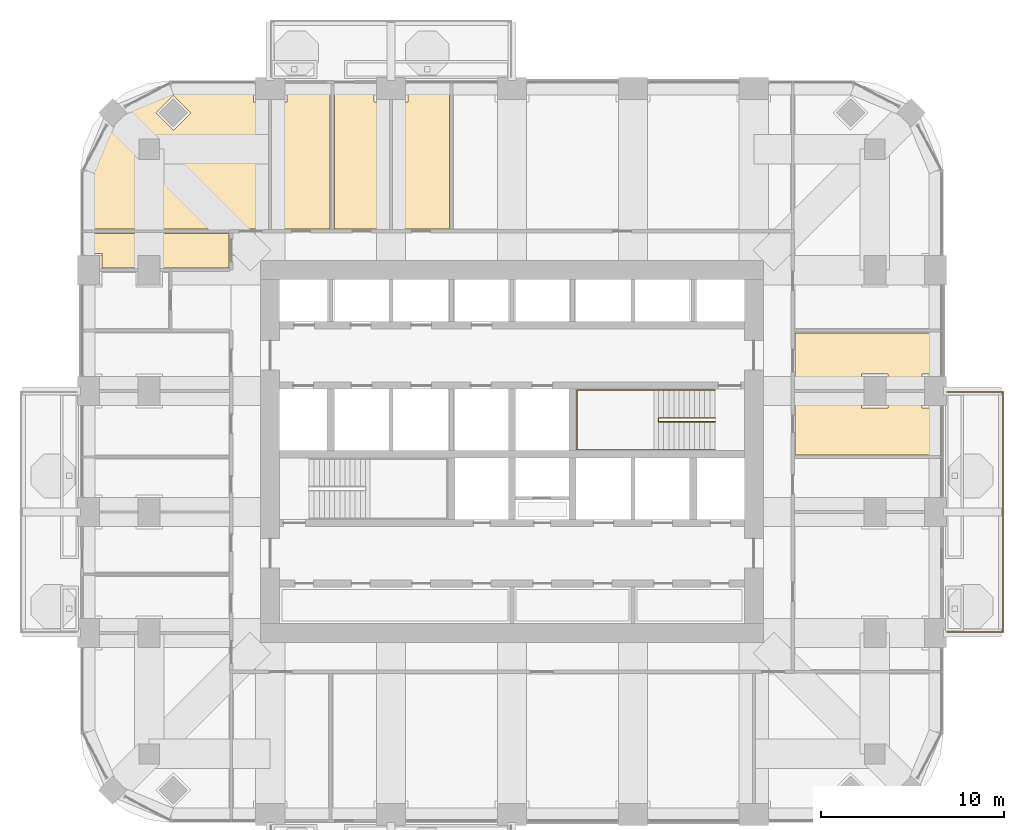
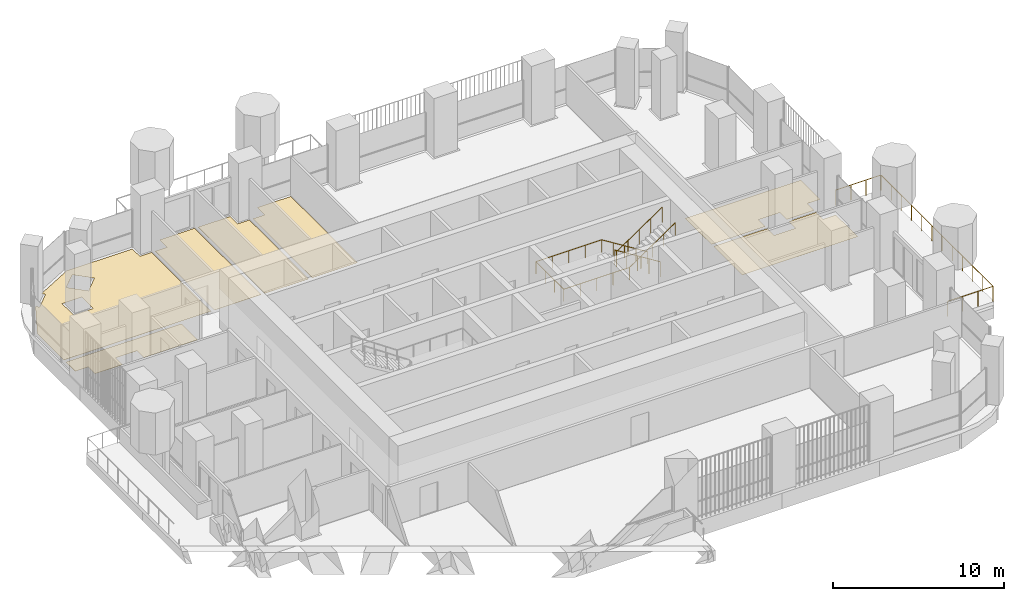
# One storey, part 18 of 20: 7 coverings, 3 railings.
"""IFC4 building model written with IfcOpenShell, lengths in metres."""

from ifc_helpers import new_model, si_unit, direction, frame, origin, place, context, subcontext, project, spatial, polyline, outline, extrude, material, layer, layer_set, type_object, element, save


model = new_model("IFC4")

# Units and contexts
model_context = context("Model", 3, precision=1e-05, world=origin(), true_north=direction((0.0, 1.0)))
body_context = subcontext(model_context, "Body", "Model", "MODEL_VIEW")
ifc_project = project(units=[si_unit("LENGTHUNIT", "METRE"), si_unit("AREAUNIT", "SQUARE_METRE"), si_unit("VOLUMEUNIT", "CUBIC_METRE"), si_unit("PLANEANGLEUNIT", "RADIAN"), si_unit("MASSUNIT", "GRAM", prefix="KILO")], contexts=[model_context])

# Site, building, storey
site_placement = place(None, origin())
site = spatial("IfcSite", under=ifc_project, at=site_placement, CompositionType="ELEMENT")
building_placement = place(site_placement, origin())
building = spatial("IfcBuilding", under=site, at=building_placement, Name="Cobogo Forest Laboratory Tower", CompositionType="ELEMENT")
storey_placement = place(building_placement, frame((0.0, 0.0, 201.89990234375)))
storey = spatial("IfcBuildingStorey", under=building, at=storey_placement, Name="L46", CompositionType="ELEMENT", Elevation=201.89990234375)

# Railing
ifc_material_1 = material(Name="Laminated glass balustrade", Category="glass")
railing_type_1 = type_object("IfcRailingType", Name="BG1 glass balustrade 1100", PredefinedType="GUARDRAIL", material=ifc_material_1)
railing_1_placement = place(storey_placement, frame((50.14990234375, 13.25, 0.0)))
element("IfcRailing", 1, at=railing_1_placement, inside=storey, type_object=railing_type_1, Name="Balcony balustrade BAL-E1 L46", PredefinedType="GUARDRAIL", context=body_context, shape_type="SweptSolid", body=[
    extrude(outline(polyline([(0.022216796875, 0.00927734375), (0.00927734375, 0.022216796875), (-0.00927734375, 0.022216796875), (-0.022216796875, 0.00927734375), (-0.022216796875, -0.00927734375), (-0.00927734375, -0.022216796875), (0.00927734375, -0.022216796875), (0.022216796875, -0.00927734375), (0.022216796875, 0.00927734375)])), frame((0.0, 0.0, 1.077880859375), z_axis=(1.0, 0.0, 0.0), x_axis=(0.0, 1.0, 0.0)), (0.0, 0.0, 1.0), 3.050048828125),
    extrude(outline(polyline([(0.022216796875, 0.00927734375), (0.00927734375, 0.022216796875), (-0.00927734375, 0.022216796875), (-0.022216796875, 0.00927734375), (-0.022216796875, -0.00927734375), (-0.00927734375, -0.022216796875), (0.00927734375, -0.022216796875), (0.022216796875, -0.00927734375), (0.022216796875, 0.00927734375)])), frame((3.050048828125, 0.0, 1.077880859375), z_axis=(0.0, 1.0, 0.0), x_axis=(-1.0, 0.0, 0.0)), (0.0, 0.0, 1.0), 13.10009765625),
    extrude(outline(polyline([(0.022216796875, 0.00927734375), (0.00927734375, 0.022216796875), (-0.00927734375, 0.022216796875), (-0.022216796875, 0.00927734375), (-0.022216796875, -0.00927734375), (-0.00927734375, -0.022216796875), (0.00927734375, -0.022216796875), (0.022216796875, -0.00927734375), (0.022216796875, 0.00927734375)])), frame((3.050048828125, 13.10009765625, 1.077880859375), z_axis=(-1.0, 0.0, 0.0), x_axis=(0.0, -1.0, 0.0)), (0.0, 0.0, 1.0), 3.050048828125),
    extrude(outline(polyline([(0.019287109375, 0.008056640625), (0.008056640625, 0.019287109375), (-0.008056640625, 0.019287109375), (-0.019287109375, 0.008056640625), (-0.019287109375, -0.008056640625), (-0.008056640625, -0.019287109375), (0.008056640625, -0.019287109375), (0.019287109375, -0.008056640625), (0.019287109375, 0.008056640625)])), origin(), (0.0, 0.0, 1.0), 1.077880859375),
    extrude(outline(polyline([(0.019287109375, 0.008056640625), (0.008056640625, 0.019287109375), (-0.008056640625, 0.019287109375), (-0.019287109375, 0.008056640625), (-0.019287109375, -0.008056640625), (-0.008056640625, -0.019287109375), (0.008056640625, -0.019287109375), (0.019287109375, -0.008056640625), (0.019287109375, 0.008056640625)])), frame((1.0166015625, 0.0, 0.0)), (0.0, 0.0, 1.0), 1.077880859375),
    extrude(outline(polyline([(0.019287109375, 0.008056640625), (0.008056640625, 0.019287109375), (-0.008056640625, 0.019287109375), (-0.019287109375, 0.008056640625), (-0.019287109375, -0.008056640625), (-0.008056640625, -0.019287109375), (0.008056640625, -0.019287109375), (0.019287109375, -0.008056640625), (0.019287109375, 0.008056640625)])), frame((2.033447265625, 0.0, 0.0)), (0.0, 0.0, 1.0), 1.077880859375),
    extrude(outline(polyline([(0.019287109375, 0.008056640625), (0.008056640625, 0.019287109375), (-0.008056640625, 0.019287109375), (-0.019287109375, 0.008056640625), (-0.019287109375, -0.008056640625), (-0.008056640625, -0.019287109375), (0.008056640625, -0.019287109375), (0.019287109375, -0.008056640625), (0.019287109375, 0.008056640625)])), frame((3.050048828125, 0.0, 0.0)), (0.0, 0.0, 1.0), 1.077880859375),
    extrude(outline(polyline([(0.019287109375, 0.008056640625), (0.008056640625, 0.019287109375), (-0.008056640625, 0.019287109375), (-0.019287109375, 0.008056640625), (-0.019287109375, -0.008056640625), (-0.008056640625, -0.019287109375), (0.008056640625, -0.019287109375), (0.019287109375, -0.008056640625), (0.019287109375, 0.008056640625)])), frame((3.050048828125, 1.19091796875, 0.0)), (0.0, 0.0, 1.0), 1.077880859375),
    extrude(outline(polyline([(0.019287109375, 0.008056640625), (0.008056640625, 0.019287109375), (-0.008056640625, 0.019287109375), (-0.019287109375, 0.008056640625), (-0.019287109375, -0.008056640625), (-0.008056640625, -0.019287109375), (0.008056640625, -0.019287109375), (0.019287109375, -0.008056640625), (0.019287109375, 0.008056640625)])), frame((3.050048828125, 2.3818359375, 0.0)), (0.0, 0.0, 1.0), 1.077880859375),
    extrude(outline(polyline([(0.019287109375, 0.008056640625), (0.008056640625, 0.019287109375), (-0.008056640625, 0.019287109375), (-0.019287109375, 0.008056640625), (-0.019287109375, -0.008056640625), (-0.008056640625, -0.019287109375), (0.008056640625, -0.019287109375), (0.019287109375, -0.008056640625), (0.019287109375, 0.008056640625)])), frame((3.050048828125, 3.57275390625, 0.0)), (0.0, 0.0, 1.0), 1.077880859375),
    extrude(outline(polyline([(0.019287109375, 0.008056640625), (0.008056640625, 0.019287109375), (-0.008056640625, 0.019287109375), (-0.019287109375, 0.008056640625), (-0.019287109375, -0.008056640625), (-0.008056640625, -0.019287109375), (0.008056640625, -0.019287109375), (0.019287109375, -0.008056640625), (0.019287109375, 0.008056640625)])), frame((3.050048828125, 4.763671875, 0.0)), (0.0, 0.0, 1.0), 1.077880859375),
    extrude(outline(polyline([(0.019287109375, 0.008056640625), (0.008056640625, 0.019287109375), (-0.008056640625, 0.019287109375), (-0.019287109375, 0.008056640625), (-0.019287109375, -0.008056640625), (-0.008056640625, -0.019287109375), (0.008056640625, -0.019287109375), (0.019287109375, -0.008056640625), (0.019287109375, 0.008056640625)])), frame((3.050048828125, 5.95458984375, 0.0)), (0.0, 0.0, 1.0), 1.077880859375),
    extrude(outline(polyline([(0.019287109375, 0.008056640625), (0.008056640625, 0.019287109375), (-0.008056640625, 0.019287109375), (-0.019287109375, 0.008056640625), (-0.019287109375, -0.008056640625), (-0.008056640625, -0.019287109375), (0.008056640625, -0.019287109375), (0.019287109375, -0.008056640625), (0.019287109375, 0.008056640625)])), frame((3.050048828125, 7.1455078125, 0.0)), (0.0, 0.0, 1.0), 1.077880859375),
    extrude(outline(polyline([(0.019287109375, 0.008056640625), (0.008056640625, 0.019287109375), (-0.008056640625, 0.019287109375), (-0.019287109375, 0.008056640625), (-0.019287109375, -0.008056640625), (-0.008056640625, -0.019287109375), (0.008056640625, -0.019287109375), (0.019287109375, -0.008056640625), (0.019287109375, 0.008056640625)])), frame((3.050048828125, 8.33642578125, 0.0)), (0.0, 0.0, 1.0), 1.077880859375),
    extrude(outline(polyline([(0.019287109375, 0.008056640625), (0.008056640625, 0.019287109375), (-0.008056640625, 0.019287109375), (-0.019287109375, 0.008056640625), (-0.019287109375, -0.008056640625), (-0.008056640625, -0.019287109375), (0.008056640625, -0.019287109375), (0.019287109375, -0.008056640625), (0.019287109375, 0.008056640625)])), frame((3.050048828125, 9.52734375, 0.0)), (0.0, 0.0, 1.0), 1.077880859375),
    extrude(outline(polyline([(0.019287109375, 0.008056640625), (0.008056640625, 0.019287109375), (-0.008056640625, 0.019287109375), (-0.019287109375, 0.008056640625), (-0.019287109375, -0.008056640625), (-0.008056640625, -0.019287109375), (0.008056640625, -0.019287109375), (0.019287109375, -0.008056640625), (0.019287109375, 0.008056640625)])), frame((3.050048828125, 10.71826171875, 0.0)), (0.0, 0.0, 1.0), 1.077880859375),
    extrude(outline(polyline([(0.019287109375, 0.008056640625), (0.008056640625, 0.019287109375), (-0.008056640625, 0.019287109375), (-0.019287109375, 0.008056640625), (-0.019287109375, -0.008056640625), (-0.008056640625, -0.019287109375), (0.008056640625, -0.019287109375), (0.019287109375, -0.008056640625), (0.019287109375, 0.008056640625)])), frame((3.050048828125, 11.9091796875, 0.0)), (0.0, 0.0, 1.0), 1.077880859375),
    extrude(outline(polyline([(0.019287109375, 0.008056640625), (0.008056640625, 0.019287109375), (-0.008056640625, 0.019287109375), (-0.019287109375, 0.008056640625), (-0.019287109375, -0.008056640625), (-0.008056640625, -0.019287109375), (0.008056640625, -0.019287109375), (0.019287109375, -0.008056640625), (0.019287109375, 0.008056640625)])), frame((3.050048828125, 13.10009765625, 0.0)), (0.0, 0.0, 1.0), 1.077880859375),
    extrude(outline(polyline([(0.019287109375, 0.008056640625), (0.008056640625, 0.019287109375), (-0.008056640625, 0.019287109375), (-0.019287109375, 0.008056640625), (-0.019287109375, -0.008056640625), (-0.008056640625, -0.019287109375), (0.008056640625, -0.019287109375), (0.019287109375, -0.008056640625), (0.019287109375, 0.008056640625)])), frame((2.033447265625, 13.10009765625, 0.0)), (0.0, 0.0, 1.0), 1.077880859375),
    extrude(outline(polyline([(0.019287109375, 0.008056640625), (0.008056640625, 0.019287109375), (-0.008056640625, 0.019287109375), (-0.019287109375, 0.008056640625), (-0.019287109375, -0.008056640625), (-0.008056640625, -0.019287109375), (0.008056640625, -0.019287109375), (0.019287109375, -0.008056640625), (0.019287109375, 0.008056640625)])), frame((1.0166015625, 13.10009765625, 0.0)), (0.0, 0.0, 1.0), 1.077880859375),
    extrude(outline(polyline([(0.019287109375, 0.008056640625), (0.008056640625, 0.019287109375), (-0.008056640625, 0.019287109375), (-0.019287109375, 0.008056640625), (-0.019287109375, -0.008056640625), (-0.008056640625, -0.019287109375), (0.008056640625, -0.019287109375), (0.019287109375, -0.008056640625), (0.019287109375, 0.008056640625)])), frame((0.0, 13.10009765625, 0.0)), (0.0, 0.0, 1.0), 1.077880859375),
])

# Coverings
ifc_material_2 = material(Name="Carpet tile on raised access floor", Category="flooring")
ifc_layer_1 = layer(ifc_material_2, 0.008056640625)
ifc_layer_set_1 = layer_set([ifc_layer_1], Name="CT1 carpet tile floor 8")
covering_type_1 = type_object("IfcCoveringType", Name="CT1 carpet tile floor 8", PredefinedType="FLOORING", material=ifc_layer_set_1)
covering_1_placement = place(storey_placement, origin())
element("IfcCovering", 2, at=covering_1_placement, inside=storey, type_object=covering_type_1, Name="Carpet floor L46-10", PredefinedType="FLOORING", context=body_context, shape_type="SweptSolid", body=[
    extrude(outline(polyline([(13.320068359375, 35.2451171875), (13.320068359375, 42.179931640625), (14.1201171875, 42.179931640625), (14.1201171875, 43.050048828125), (16.47998046875, 43.050048828125), (16.47998046875, 35.2451171875), (13.320068359375, 35.2451171875)])), origin(), (0.0, 0.0, 1.0), 0.008056640625),
])
covering_2_placement = place(storey_placement, origin())
element("IfcCovering", 3, at=covering_2_placement, inside=storey, type_object=covering_type_1, Name="Carpet floor L46-12", PredefinedType="FLOORING", context=body_context, shape_type="SweptSolid", body=[
    extrude(outline(polyline([(19.919921875, 35.2451171875), (19.919921875, 42.179931640625), (20.719970703125, 42.179931640625), (20.719970703125, 43.050048828125), (22.97998046875, 43.050048828125), (22.97998046875, 35.2451171875), (19.919921875, 35.2451171875)])), origin(), (0.0, 0.0, 1.0), 0.008056640625),
])

# Railings
ifc_material_3 = material(Name="Steel balustrade", Category="steel")
railing_type_2 = type_object("IfcRailingType", Name="GR stair guard 1100", PredefinedType="GUARDRAIL", material=ifc_material_3)
railing_2_placement = place(storey_placement, frame((37.47509765625, 24.929931640625, 0.175048828125)))
element("IfcRailing", 4, at=railing_2_placement, inside=storey, type_object=railing_type_2, Name="Stair guard ST2 L46", PredefinedType="GUARDRAIL", context=body_context, shape_type="SweptSolid", body=[
    extrude(outline(polyline([(0.022216796875, 0.00927734375), (0.00927734375, 0.022216796875), (-0.00927734375, 0.022216796875), (-0.022216796875, 0.00927734375), (-0.022216796875, -0.00927734375), (-0.00927734375, -0.022216796875), (0.00927734375, -0.022216796875), (0.022216796875, -0.00927734375), (0.022216796875, 0.00927734375)])), frame((0.0, 0.0, 1.077880859375), z_axis=(-0.847998304005, 0.0, 0.529998940003), x_axis=(0.0, -1.0, 0.0)), (0.0, 0.0, 1.0), 3.632080078125),
    extrude(outline(polyline([(0.022216796875, 0.00927734375), (0.00927734375, 0.022216796875), (-0.00927734375, 0.022216796875), (-0.022216796875, 0.00927734375), (-0.022216796875, -0.00927734375), (-0.00927734375, -0.022216796875), (0.00927734375, -0.022216796875), (0.022216796875, -0.00927734375), (0.022216796875, 0.00927734375)])), frame((-3.080078125, 0.0, 3.0029296875), z_axis=(0.0, -1.0, 0.0), x_axis=(1.0, 0.0, 0.0)), (0.0, 0.0, 1.0), 0.2099609375),
    extrude(outline(polyline([(0.022216796875, 0.00927734375), (0.00927734375, 0.022216796875), (-0.00927734375, 0.022216796875), (-0.022216796875, 0.00927734375), (-0.022216796875, -0.00927734375), (-0.00927734375, -0.022216796875), (0.00927734375, -0.022216796875), (0.022216796875, -0.00927734375), (0.022216796875, 0.00927734375)])), frame((-3.080078125, -0.2099609375, 3.0029296875), z_axis=(0.826221800596, 0.0, 0.563344953133), x_axis=(0.0, 1.0, 0.0)), (0.0, 0.0, 1.0), 3.72802734375),
    extrude(outline(polyline([(0.019287109375, 0.008056640625), (0.008056640625, 0.019287109375), (-0.008056640625, 0.019287109375), (-0.019287109375, 0.008056640625), (-0.019287109375, -0.008056640625), (-0.008056640625, -0.019287109375), (0.008056640625, -0.019287109375), (0.019287109375, -0.008056640625), (0.019287109375, 0.008056640625)])), origin(), (0.0, 0.0, 1.0), 1.077880859375),
    extrude(outline(polyline([(0.019287109375, 0.008056640625), (0.008056640625, 0.019287109375), (-0.008056640625, 0.019287109375), (-0.019287109375, 0.008056640625), (-0.019287109375, -0.008056640625), (-0.008056640625, -0.019287109375), (0.008056640625, -0.019287109375), (0.019287109375, -0.008056640625), (0.019287109375, 0.008056640625)])), frame((-0.77001953125, 0.0, 0.481201171875)), (0.0, 0.0, 1.0), 1.077880859375),
    extrude(outline(polyline([(0.019287109375, 0.008056640625), (0.008056640625, 0.019287109375), (-0.008056640625, 0.019287109375), (-0.019287109375, 0.008056640625), (-0.019287109375, -0.008056640625), (-0.008056640625, -0.019287109375), (0.008056640625, -0.019287109375), (0.019287109375, -0.008056640625), (0.019287109375, 0.008056640625)])), frame((-1.5400390625, 0.0, 0.96240234375)), (0.0, 0.0, 1.0), 1.077880859375),
    extrude(outline(polyline([(0.019287109375, 0.008056640625), (0.008056640625, 0.019287109375), (-0.008056640625, 0.019287109375), (-0.019287109375, 0.008056640625), (-0.019287109375, -0.008056640625), (-0.008056640625, -0.019287109375), (0.008056640625, -0.019287109375), (0.019287109375, -0.008056640625), (0.019287109375, 0.008056640625)])), frame((-2.31005859375, 0.0, 1.44384765625)), (0.0, 0.0, 1.0), 1.077880859375),
    extrude(outline(polyline([(0.019287109375, 0.008056640625), (0.008056640625, 0.019287109375), (-0.008056640625, 0.019287109375), (-0.019287109375, 0.008056640625), (-0.019287109375, -0.008056640625), (-0.008056640625, -0.019287109375), (0.008056640625, -0.019287109375), (0.019287109375, -0.008056640625), (0.019287109375, 0.008056640625)])), frame((-3.080078125, 0.0, 1.925048828125)), (0.0, 0.0, 1.0), 1.077880859375),
    extrude(outline(polyline([(0.019287109375, 0.008056640625), (0.008056640625, 0.019287109375), (-0.008056640625, 0.019287109375), (-0.019287109375, 0.008056640625), (-0.019287109375, -0.008056640625), (-0.008056640625, -0.019287109375), (0.008056640625, -0.019287109375), (0.019287109375, -0.008056640625), (0.019287109375, 0.008056640625)])), frame((-3.080078125, -0.2099609375, 1.925048828125)), (0.0, 0.0, 1.0), 1.077880859375),
    extrude(outline(polyline([(0.019287109375, 0.008056640625), (0.008056640625, 0.019287109375), (-0.008056640625, 0.019287109375), (-0.019287109375, 0.008056640625), (-0.019287109375, -0.008056640625), (-0.008056640625, -0.019287109375), (0.008056640625, -0.019287109375), (0.019287109375, -0.008056640625), (0.019287109375, 0.008056640625)])), frame((-2.31005859375, -0.2099609375, 2.4501953125)), (0.0, 0.0, 1.0), 1.077880859375),
    extrude(outline(polyline([(0.019287109375, 0.008056640625), (0.008056640625, 0.019287109375), (-0.008056640625, 0.019287109375), (-0.019287109375, 0.008056640625), (-0.019287109375, -0.008056640625), (-0.008056640625, -0.019287109375), (0.008056640625, -0.019287109375), (0.019287109375, -0.008056640625), (0.019287109375, 0.008056640625)])), frame((-1.5400390625, -0.2099609375, 2.97509765625)), (0.0, 0.0, 1.0), 1.077880859375),
    extrude(outline(polyline([(0.019287109375, 0.008056640625), (0.008056640625, 0.019287109375), (-0.008056640625, 0.019287109375), (-0.019287109375, 0.008056640625), (-0.019287109375, -0.008056640625), (-0.008056640625, -0.019287109375), (0.008056640625, -0.019287109375), (0.019287109375, -0.008056640625), (0.019287109375, 0.008056640625)])), frame((-0.77001953125, -0.2099609375, 3.5)), (0.0, 0.0, 1.0), 1.077880859375),
    extrude(outline(polyline([(0.019287109375, 0.008056640625), (0.008056640625, 0.019287109375), (-0.008056640625, 0.019287109375), (-0.019287109375, 0.008056640625), (-0.019287109375, -0.008056640625), (-0.008056640625, -0.019287109375), (0.008056640625, -0.019287109375), (0.019287109375, -0.008056640625), (0.019287109375, 0.008056640625)])), frame((0.0, -0.2099609375, 4.025146484375)), (0.0, 0.0, 1.0), 1.077880859375),
])
ifc_material_4 = material(Name="Stainless steel handrail", Category="steel")
railing_type_3 = type_object("IfcRailingType", Name="HR handrail 900", PredefinedType="HANDRAIL", material=ifc_material_4)
railing_3_placement = place(storey_placement, frame((37.47509765625, 26.449951171875, 0.175048828125)))
element("IfcRailing", 5, at=railing_3_placement, inside=storey, type_object=railing_type_3, Name="Stair handrail ST2 L46", PredefinedType="HANDRAIL", context=body_context, shape_type="SweptSolid", body=[
    extrude(outline(polyline([(0.022216796875, 0.00927734375), (0.00927734375, 0.022216796875), (-0.00927734375, 0.022216796875), (-0.022216796875, 0.00927734375), (-0.022216796875, -0.00927734375), (-0.00927734375, -0.022216796875), (0.00927734375, -0.022216796875), (0.022216796875, -0.00927734375), (0.022216796875, 0.00927734375)])), frame((0.0, 0.0, 0.877685546875), z_axis=(-0.847998304005, 0.0, 0.529998940003), x_axis=(0.0, -1.0, 0.0)), (0.0, 0.0, 1.0), 3.632080078125),
    extrude(outline(polyline([(0.022216796875, 0.00927734375), (0.00927734375, 0.022216796875), (-0.00927734375, 0.022216796875), (-0.022216796875, 0.00927734375), (-0.022216796875, -0.00927734375), (-0.00927734375, -0.022216796875), (0.00927734375, -0.022216796875), (0.022216796875, -0.00927734375), (0.022216796875, 0.00927734375)])), frame((-3.080078125, 0.0, 2.802734375), z_axis=(-1.0, 0.0, 0.0), x_axis=(0.0, -1.0, 0.0)), (0.0, 0.0, 1.0), 4.445068359375),
    extrude(outline(polyline([(0.022216796875, 0.00927734375), (0.00927734375, 0.022216796875), (-0.00927734375, 0.022216796875), (-0.022216796875, 0.00927734375), (-0.022216796875, -0.00927734375), (-0.00927734375, -0.022216796875), (0.00927734375, -0.022216796875), (0.022216796875, -0.00927734375), (0.022216796875, 0.00927734375)])), frame((-7.525146484375, 0.0, 2.802734375), z_axis=(0.0, -1.0, 0.0), x_axis=(1.0, 0.0, 0.0)), (0.0, 0.0, 1.0), 3.25),
    extrude(outline(polyline([(0.022216796875, 0.00927734375), (0.00927734375, 0.022216796875), (-0.00927734375, 0.022216796875), (-0.022216796875, 0.00927734375), (-0.022216796875, -0.00927734375), (-0.00927734375, -0.022216796875), (0.00927734375, -0.022216796875), (0.022216796875, -0.00927734375), (0.022216796875, 0.00927734375)])), frame((-7.525146484375, -3.25, 2.802734375), z_axis=(1.0, 0.0, 0.0), x_axis=(0.0, 1.0, 0.0)), (0.0, 0.0, 1.0), 4.445068359375),
    extrude(outline(polyline([(0.022216796875, 0.00927734375), (0.00927734375, 0.022216796875), (-0.00927734375, 0.022216796875), (-0.022216796875, 0.00927734375), (-0.022216796875, -0.00927734375), (-0.00927734375, -0.022216796875), (0.00927734375, -0.022216796875), (0.022216796875, -0.00927734375), (0.022216796875, 0.00927734375)])), frame((-3.080078125, -3.25, 2.802734375), z_axis=(0.826221800596, 0.0, 0.563344953133), x_axis=(0.0, 1.0, 0.0)), (0.0, 0.0, 1.0), 3.72802734375),
    extrude(outline(polyline([(0.019287109375, 0.008056640625), (0.008056640625, 0.019287109375), (-0.008056640625, 0.019287109375), (-0.019287109375, 0.008056640625), (-0.019287109375, -0.008056640625), (-0.008056640625, -0.019287109375), (0.008056640625, -0.019287109375), (0.019287109375, -0.008056640625), (0.019287109375, 0.008056640625)])), origin(), (0.0, 0.0, 1.0), 0.877685546875),
    extrude(outline(polyline([(0.019287109375, 0.008056640625), (0.008056640625, 0.019287109375), (-0.008056640625, 0.019287109375), (-0.019287109375, 0.008056640625), (-0.019287109375, -0.008056640625), (-0.008056640625, -0.019287109375), (0.008056640625, -0.019287109375), (0.019287109375, -0.008056640625), (0.019287109375, 0.008056640625)])), frame((-0.77001953125, 0.0, 0.481201171875)), (0.0, 0.0, 1.0), 0.877685546875),
    extrude(outline(polyline([(0.019287109375, 0.008056640625), (0.008056640625, 0.019287109375), (-0.008056640625, 0.019287109375), (-0.019287109375, 0.008056640625), (-0.019287109375, -0.008056640625), (-0.008056640625, -0.019287109375), (0.008056640625, -0.019287109375), (0.019287109375, -0.008056640625), (0.019287109375, 0.008056640625)])), frame((-1.5400390625, 0.0, 0.96240234375)), (0.0, 0.0, 1.0), 0.877685546875),
    extrude(outline(polyline([(0.019287109375, 0.008056640625), (0.008056640625, 0.019287109375), (-0.008056640625, 0.019287109375), (-0.019287109375, 0.008056640625), (-0.019287109375, -0.008056640625), (-0.008056640625, -0.019287109375), (0.008056640625, -0.019287109375), (0.019287109375, -0.008056640625), (0.019287109375, 0.008056640625)])), frame((-2.31005859375, 0.0, 1.44384765625)), (0.0, 0.0, 1.0), 0.877685546875),
    extrude(outline(polyline([(0.019287109375, 0.008056640625), (0.008056640625, 0.019287109375), (-0.008056640625, 0.019287109375), (-0.019287109375, 0.008056640625), (-0.019287109375, -0.008056640625), (-0.008056640625, -0.019287109375), (0.008056640625, -0.019287109375), (0.019287109375, -0.008056640625), (0.019287109375, 0.008056640625)])), frame((-3.080078125, 0.0, 1.925048828125)), (0.0, 0.0, 1.0), 0.877685546875),
    extrude(outline(polyline([(0.019287109375, 0.008056640625), (0.008056640625, 0.019287109375), (-0.008056640625, 0.019287109375), (-0.019287109375, 0.008056640625), (-0.019287109375, -0.008056640625), (-0.008056640625, -0.019287109375), (0.008056640625, -0.019287109375), (0.019287109375, -0.008056640625), (0.019287109375, 0.008056640625)])), frame((-4.19140625, 0.0, 1.925048828125)), (0.0, 0.0, 1.0), 0.877685546875),
    extrude(outline(polyline([(0.019287109375, 0.008056640625), (0.008056640625, 0.019287109375), (-0.008056640625, 0.019287109375), (-0.019287109375, 0.008056640625), (-0.019287109375, -0.008056640625), (-0.008056640625, -0.019287109375), (0.008056640625, -0.019287109375), (0.019287109375, -0.008056640625), (0.019287109375, 0.008056640625)])), frame((-5.302734375, 0.0, 1.925048828125)), (0.0, 0.0, 1.0), 0.877685546875),
    extrude(outline(polyline([(0.019287109375, 0.008056640625), (0.008056640625, 0.019287109375), (-0.008056640625, 0.019287109375), (-0.019287109375, 0.008056640625), (-0.019287109375, -0.008056640625), (-0.008056640625, -0.019287109375), (0.008056640625, -0.019287109375), (0.019287109375, -0.008056640625), (0.019287109375, 0.008056640625)])), frame((-6.413818359375, 0.0, 1.925048828125)), (0.0, 0.0, 1.0), 0.877685546875),
    extrude(outline(polyline([(0.019287109375, 0.008056640625), (0.008056640625, 0.019287109375), (-0.008056640625, 0.019287109375), (-0.019287109375, 0.008056640625), (-0.019287109375, -0.008056640625), (-0.008056640625, -0.019287109375), (0.008056640625, -0.019287109375), (0.019287109375, -0.008056640625), (0.019287109375, 0.008056640625)])), frame((-7.525146484375, 0.0, 1.925048828125)), (0.0, 0.0, 1.0), 0.877685546875),
    extrude(outline(polyline([(0.019287109375, 0.008056640625), (0.008056640625, 0.019287109375), (-0.008056640625, 0.019287109375), (-0.019287109375, 0.008056640625), (-0.019287109375, -0.008056640625), (-0.008056640625, -0.019287109375), (0.008056640625, -0.019287109375), (0.019287109375, -0.008056640625), (0.019287109375, 0.008056640625)])), frame((-7.525146484375, -1.083251953125, 1.925048828125)), (0.0, 0.0, 1.0), 0.877685546875),
    extrude(outline(polyline([(0.019287109375, 0.008056640625), (0.008056640625, 0.019287109375), (-0.008056640625, 0.019287109375), (-0.019287109375, 0.008056640625), (-0.019287109375, -0.008056640625), (-0.008056640625, -0.019287109375), (0.008056640625, -0.019287109375), (0.019287109375, -0.008056640625), (0.019287109375, 0.008056640625)])), frame((-7.525146484375, -2.166748046875, 1.925048828125)), (0.0, 0.0, 1.0), 0.877685546875),
    extrude(outline(polyline([(0.019287109375, 0.008056640625), (0.008056640625, 0.019287109375), (-0.008056640625, 0.019287109375), (-0.019287109375, 0.008056640625), (-0.019287109375, -0.008056640625), (-0.008056640625, -0.019287109375), (0.008056640625, -0.019287109375), (0.019287109375, -0.008056640625), (0.019287109375, 0.008056640625)])), frame((-7.525146484375, -3.25, 1.925048828125)), (0.0, 0.0, 1.0), 0.877685546875),
    extrude(outline(polyline([(0.019287109375, 0.008056640625), (0.008056640625, 0.019287109375), (-0.008056640625, 0.019287109375), (-0.019287109375, 0.008056640625), (-0.019287109375, -0.008056640625), (-0.008056640625, -0.019287109375), (0.008056640625, -0.019287109375), (0.019287109375, -0.008056640625), (0.019287109375, 0.008056640625)])), frame((-6.413818359375, -3.25, 1.925048828125)), (0.0, 0.0, 1.0), 0.877685546875),
    extrude(outline(polyline([(0.019287109375, 0.008056640625), (0.008056640625, 0.019287109375), (-0.008056640625, 0.019287109375), (-0.019287109375, 0.008056640625), (-0.019287109375, -0.008056640625), (-0.008056640625, -0.019287109375), (0.008056640625, -0.019287109375), (0.019287109375, -0.008056640625), (0.019287109375, 0.008056640625)])), frame((-5.302734375, -3.25, 1.925048828125)), (0.0, 0.0, 1.0), 0.877685546875),
    extrude(outline(polyline([(0.019287109375, 0.008056640625), (0.008056640625, 0.019287109375), (-0.008056640625, 0.019287109375), (-0.019287109375, 0.008056640625), (-0.019287109375, -0.008056640625), (-0.008056640625, -0.019287109375), (0.008056640625, -0.019287109375), (0.019287109375, -0.008056640625), (0.019287109375, 0.008056640625)])), frame((-4.19140625, -3.25, 1.925048828125)), (0.0, 0.0, 1.0), 0.877685546875),
    extrude(outline(polyline([(0.019287109375, 0.008056640625), (0.008056640625, 0.019287109375), (-0.008056640625, 0.019287109375), (-0.019287109375, 0.008056640625), (-0.019287109375, -0.008056640625), (-0.008056640625, -0.019287109375), (0.008056640625, -0.019287109375), (0.019287109375, -0.008056640625), (0.019287109375, 0.008056640625)])), frame((-3.080078125, -3.25, 1.925048828125)), (0.0, 0.0, 1.0), 0.877685546875),
    extrude(outline(polyline([(0.019287109375, 0.008056640625), (0.008056640625, 0.019287109375), (-0.008056640625, 0.019287109375), (-0.019287109375, 0.008056640625), (-0.019287109375, -0.008056640625), (-0.008056640625, -0.019287109375), (0.008056640625, -0.019287109375), (0.019287109375, -0.008056640625), (0.019287109375, 0.008056640625)])), frame((-2.31005859375, -3.25, 2.4501953125)), (0.0, 0.0, 1.0), 0.877685546875),
    extrude(outline(polyline([(0.019287109375, 0.008056640625), (0.008056640625, 0.019287109375), (-0.008056640625, 0.019287109375), (-0.019287109375, 0.008056640625), (-0.019287109375, -0.008056640625), (-0.008056640625, -0.019287109375), (0.008056640625, -0.019287109375), (0.019287109375, -0.008056640625), (0.019287109375, 0.008056640625)])), frame((-1.5400390625, -3.25, 2.97509765625)), (0.0, 0.0, 1.0), 0.877685546875),
    extrude(outline(polyline([(0.019287109375, 0.008056640625), (0.008056640625, 0.019287109375), (-0.008056640625, 0.019287109375), (-0.019287109375, 0.008056640625), (-0.019287109375, -0.008056640625), (-0.008056640625, -0.019287109375), (0.008056640625, -0.019287109375), (0.019287109375, -0.008056640625), (0.019287109375, 0.008056640625)])), frame((-0.77001953125, -3.25, 3.5)), (0.0, 0.0, 1.0), 0.877685546875),
    extrude(outline(polyline([(0.019287109375, 0.008056640625), (0.008056640625, 0.019287109375), (-0.008056640625, 0.019287109375), (-0.019287109375, 0.008056640625), (-0.019287109375, -0.008056640625), (-0.008056640625, -0.019287109375), (0.008056640625, -0.019287109375), (0.019287109375, -0.008056640625), (0.019287109375, 0.008056640625)])), frame((0.0, -3.25, 4.025146484375)), (0.0, 0.0, 1.0), 0.877685546875),
])

# Coverings
ifc_material_5 = material(Name="Static-dissipative vinyl flooring", Category="flooring")
ifc_layer_2 = layer(ifc_material_5, 0.0029296875)
ifc_layer_set_2 = layer_set([ifc_layer_2], Name="SD1 static-dissipative vinyl floor 3")
covering_type_2 = type_object("IfcCoveringType", Name="SD1 static-dissipative vinyl floor 3", PredefinedType="FLOORING", material=ifc_layer_set_2)
covering_3_placement = place(storey_placement, origin())
element("IfcCovering", 6, at=covering_3_placement, inside=storey, type_object=covering_type_2, Name="Static-dissipative floor L46-06", PredefinedType="FLOORING", context=body_context, shape_type="SweptSolid", body=[
    extrude(outline(polyline([(41.844970703125, 26.280029296875), (45.47998046875, 26.280029296875), (45.47998046875, 25.47998046875), (46.919921875, 25.47998046875), (46.919921875, 26.280029296875), (48.780029296875, 26.280029296875), (48.780029296875, 25.47998046875), (49.64990234375, 25.47998046875), (49.64990234375, 22.919921875), (41.844970703125, 22.919921875), (41.844970703125, 26.280029296875)])), origin(), (0.0, 0.0, 1.0), 0.003173828125),
])
covering_4_placement = place(storey_placement, origin())
element("IfcCovering", 7, at=covering_4_placement, inside=storey, type_object=covering_type_2, Name="Static-dissipative floor L46-07", PredefinedType="FLOORING", context=body_context, shape_type="SweptSolid", body=[
    extrude(outline(polyline([(41.844970703125, 29.580078125), (49.64990234375, 29.580078125), (49.64990234375, 27.320068359375), (48.780029296875, 27.320068359375), (48.780029296875, 26.52001953125), (46.919921875, 26.52001953125), (46.919921875, 27.320068359375), (45.47998046875, 27.320068359375), (45.47998046875, 26.52001953125), (41.844970703125, 26.52001953125), (41.844970703125, 29.580078125)])), origin(), (0.0, 0.0, 1.0), 0.003173828125),
])
covering_5_placement = place(storey_placement, origin())
element("IfcCovering", 8, at=covering_5_placement, inside=storey, type_object=covering_type_2, Name="Static-dissipative floor L46-09", PredefinedType="FLOORING", context=body_context, shape_type="SweptSolid", body=[
    extrude(outline(polyline([(3.14990234375, 35.2451171875), (3.14990234375, 38.350830078125), (4.440185546875, 40.812255859375), (4.617919921875, 40.634521484375), (5.5654296875, 41.58203125), (5.387939453125, 41.759765625), (7.84912109375, 43.050048828125), (12.280029296875, 43.050048828125), (12.280029296875, 42.179931640625), (13.080078125, 42.179931640625), (13.080078125, 35.2451171875), (3.14990234375, 35.2451171875)]), holes=[polyline([(7.91796875, 40.634521484375), (8.865478515625, 41.58203125), (7.91796875, 42.529541015625), (6.970458984375, 41.58203125), (7.91796875, 40.634521484375)]), polyline([(5.929931640625, 38.929931640625), (7.27001953125, 38.929931640625), (7.27001953125, 40.27001953125), (5.929931640625, 40.27001953125), (5.929931640625, 38.929931640625)])]), origin(), (0.0, 0.0, 1.0), 0.003173828125),
])
covering_6_placement = place(storey_placement, origin())
element("IfcCovering", 9, at=covering_6_placement, inside=storey, type_object=covering_type_2, Name="Static-dissipative floor L46-21", PredefinedType="FLOORING", context=body_context, shape_type="SweptSolid", body=[
    extrude(outline(polyline([(10.955078125, 33.1201171875), (7.320068359375, 33.1201171875), (7.320068359375, 33.919921875), (5.8798828125, 33.919921875), (5.8798828125, 33.1201171875), (4.02001953125, 33.1201171875), (4.02001953125, 33.919921875), (3.14990234375, 33.919921875), (3.14990234375, 35.0048828125), (10.955078125, 35.0048828125), (10.955078125, 33.1201171875)])), origin(), (0.0, 0.0, 1.0), 0.003173828125),
])
ifc_material_6 = material(Name="Ceramic floor tile", Category="flooring")
ifc_layer_3 = layer(ifc_material_6, 0.010009765625)
ifc_layer_set_3 = layer_set([ifc_layer_3], Name="TF1 ceramic tile floor 10")
covering_type_3 = type_object("IfcCoveringType", Name="TF1 ceramic tile floor 10", PredefinedType="FLOORING", material=ifc_layer_set_3)
covering_7_placement = place(storey_placement, origin())
element("IfcCovering", 10, at=covering_7_placement, inside=storey, type_object=covering_type_3, Name="Tile floor L46-11", PredefinedType="FLOORING", context=body_context, shape_type="SweptSolid", body=[
    extrude(outline(polyline([(16.719970703125, 35.2451171875), (16.719970703125, 43.050048828125), (18.8798828125, 43.050048828125), (18.8798828125, 42.179931640625), (19.679931640625, 42.179931640625), (19.679931640625, 35.2451171875), (16.719970703125, 35.2451171875)])), origin(), (0.0, 0.0, 1.0), 0.010009765625),
])

save(model, "model.ifc")
